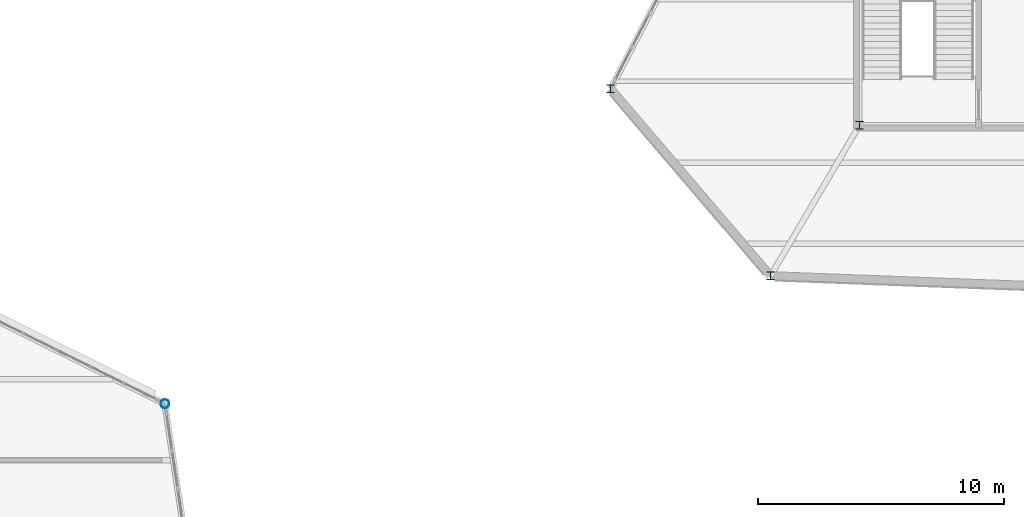
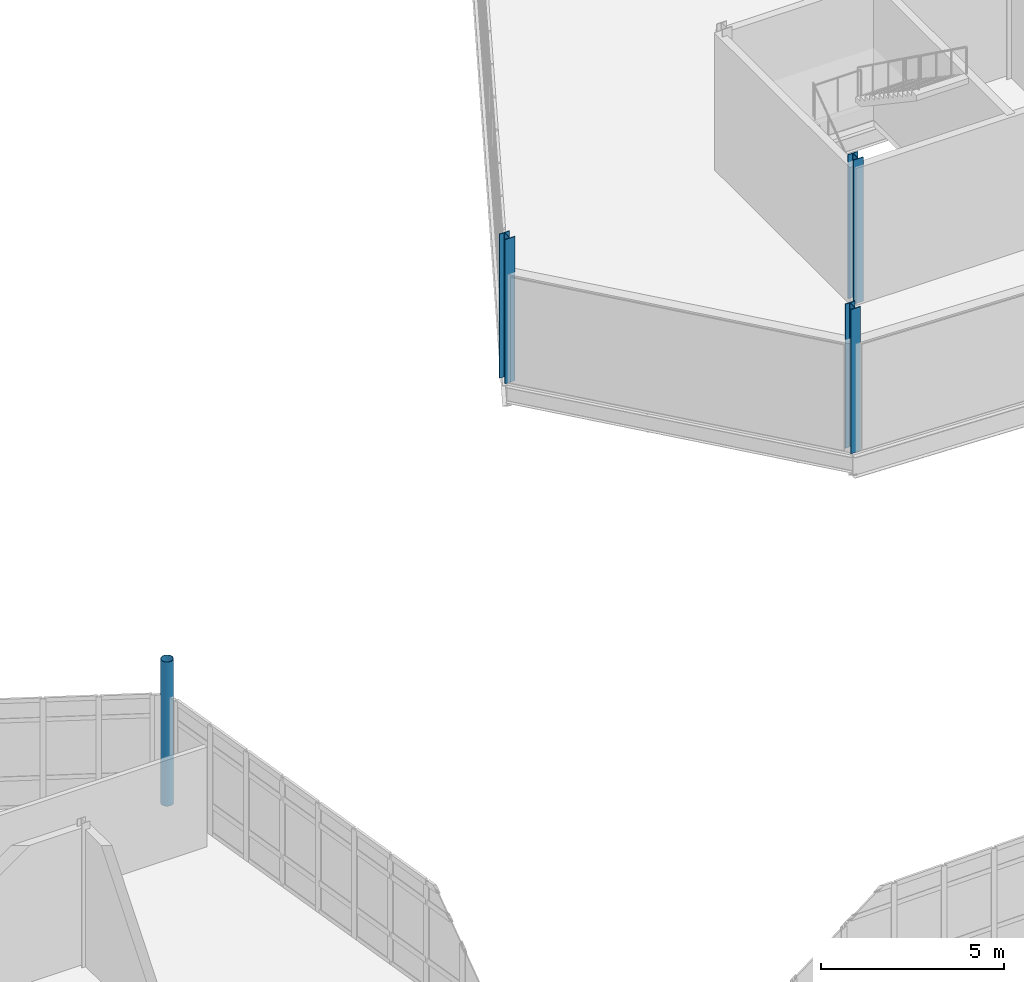
# One storey, part 14 of 114: 4 columns.
"""IFC4 building model written with IfcOpenShell, lengths in metres."""

from ifc_helpers import new_model, si_unit, direction, frame, origin, origin_2d, place, context, subcontext, project, spatial, hollow_circle, i_section, extrude, material, material_profile, profile_set, type_object, element, save


model = new_model("IFC4")

# Units and contexts
model_context = context("Model", 3, precision=1e-05, world=origin(), true_north=direction((0.0, 1.0)))
body_context = subcontext(model_context, "Body", "Model", "MODEL_VIEW")
ifc_project = project(units=[si_unit("LENGTHUNIT", "METRE"), si_unit("AREAUNIT", "SQUARE_METRE"), si_unit("VOLUMEUNIT", "CUBIC_METRE"), si_unit("PLANEANGLEUNIT", "RADIAN"), si_unit("MASSUNIT", "GRAM", prefix="KILO")], contexts=[model_context])

# Site, building, storey
site_placement = place(None, origin())
site = spatial("IfcSite", under=ifc_project, at=site_placement, CompositionType="ELEMENT")
building_placement = place(site_placement, origin())
building = spatial("IfcBuilding", under=site, at=building_placement, Name="Tameran Prism Museum", CompositionType="ELEMENT")
storey_placement = place(building_placement, frame((0.0, 0.0, 10.199951171875)))
storey = spatial("IfcBuildingStorey", under=building, at=storey_placement, Name="L02", CompositionType="ELEMENT", Elevation=10.199951171875)

# Columns
ifc_material_1 = material(Name="Steel Grade C350L0 (350 MPa)", Category="steel")
ifc_material_profile_1 = material_profile(ifc_material_1, hollow_circle(Radius=0.177734375, WallThickness=0.0126953125, at=origin_2d()))
ifc_profile_set_1 = profile_set([ifc_material_profile_1])
column_type_1 = type_object("IfcColumnType", Name="COL-CHS355", PredefinedType="COLUMN", material=ifc_profile_set_1)
column_placement = place(storey_placement, frame((74.800048828125, 66.10009765625, 0.0), z_axis=(0.0, 0.0, 1.0), x_axis=(1.0, 0.0, 0.0)))
element("IfcColumn", 1, at=column_placement, inside=storey, type_object=column_type_1, Name="Column CV-33 L02", PredefinedType="COLUMN", context=body_context, shape_type="SweptSolid", body=[
    extrude(hollow_circle(Radius=0.177734375, WallThickness=0.0126953125, at=origin_2d()), origin(), (0.0, 0.0, 1.0), 4.800048828125),
])
ifc_material_2 = material(Name="Steel Grade 350 (350 MPa)", Category="steel")
ifc_material_profile_2 = material_profile(ifc_material_2, i_section(OverallWidth=0.31103515625, OverallDepth=0.326904296875, WebThickness=0.015625, FlangeThickness=0.02490234375, FilletRadius=0.0166015625, at=origin_2d()))
ifc_profile_set_2 = profile_set([ifc_material_profile_2])
column_type_2 = type_object("IfcColumnType", Name="COL-UC310A", PredefinedType="COLUMN", material=ifc_profile_set_2)
for number, where, z_axis, x_axis, name in (
    (2, (92.89990234375, 78.89990234375, 0.0), (0.0, 0.0, 1.0), (1.0, 0.0, 0.0), "Column CV-37 L02"),
    (3, (99.39990234375, 71.300048828125, 0.0), (0.0, 0.0, 1.0), (1.0, 0.0, 0.0), "Column CV-40 L02"),
    (4, (103.02001953125, 77.419921875, 0.0), (0.0, 0.0, 1.0), (1.0, 0.0, 0.0), "Column CC-1-1 L02"),
):
    element("IfcColumn", number, at=place(storey_placement, frame(where, z_axis=z_axis, x_axis=x_axis)), inside=storey, type_object=column_type_2, Name=name, PredefinedType="COLUMN", context=body_context, shape_type="SweptSolid", body=[
        extrude(i_section(OverallWidth=0.31103515625, OverallDepth=0.326904296875, WebThickness=0.015625, FlangeThickness=0.02490234375, FilletRadius=0.0166015625, at=origin_2d()), origin(), (0.0, 0.0, 1.0), 4.800048828125),
    ])

save(model, "model.ifc")
